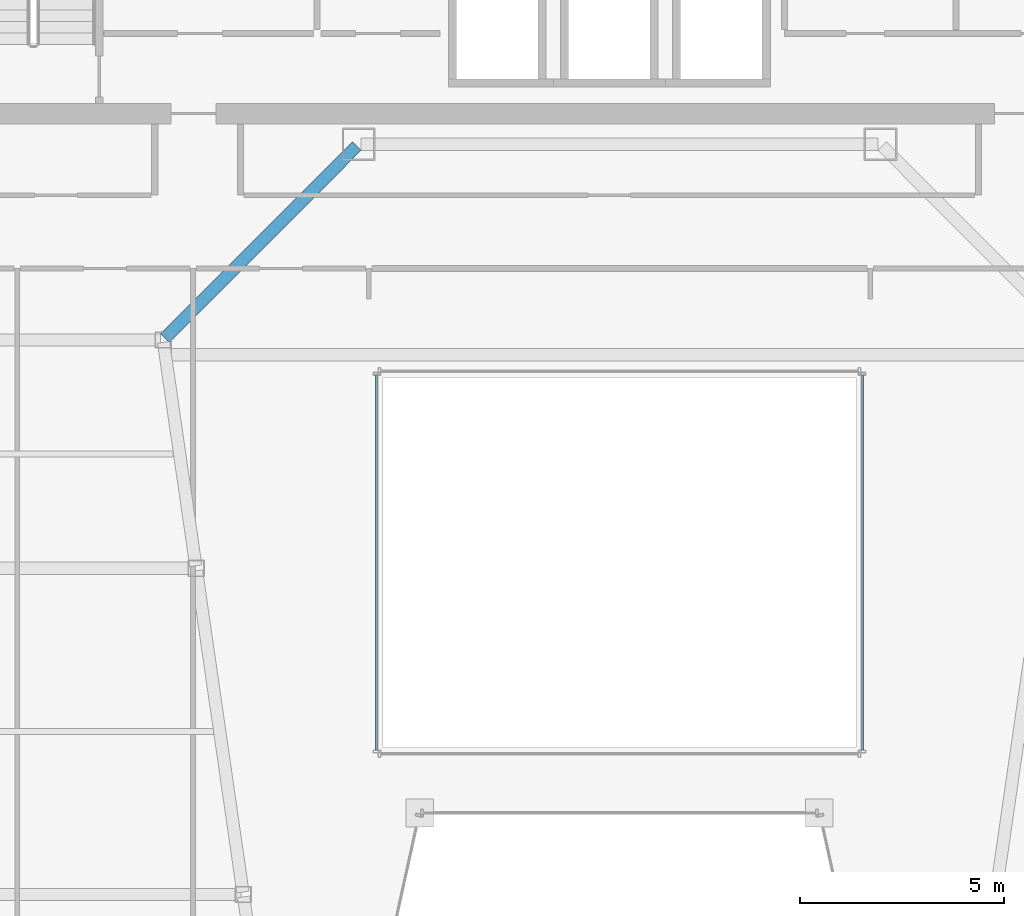
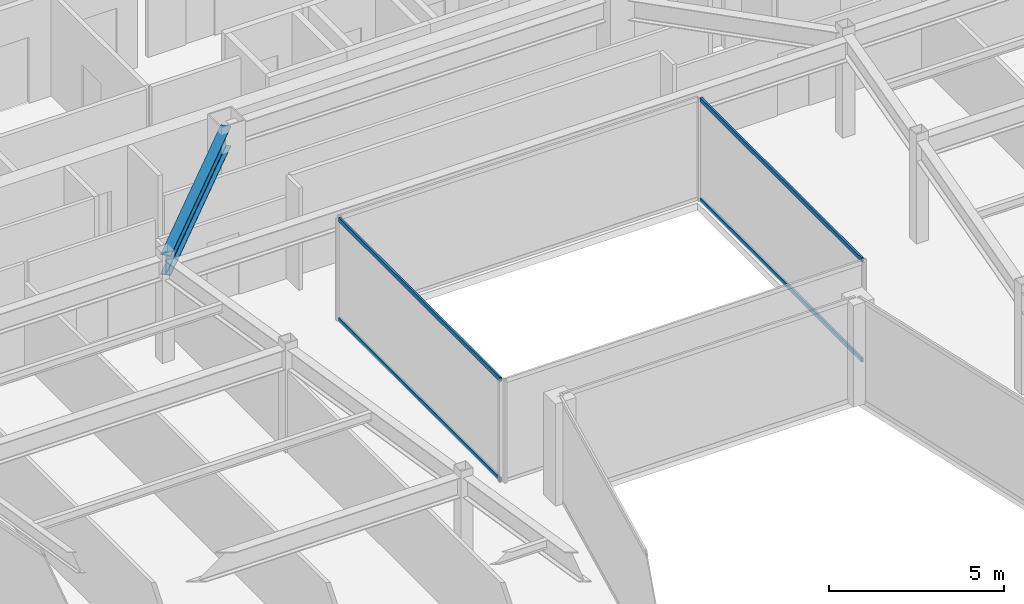
# One storey, part 12 of 35: 4 members, 1 beam, 2 elements without a shape of their own.
"""IFC4 building model written with IfcOpenShell, lengths in metres."""

from ifc_helpers import new_model, si_unit, direction, frame, origin, origin_2d, place, context, subcontext, project, spatial, hollow_rectangle, i_section, extrude, material, material_profile, profile_set, type_object, element, aggregate, save


model = new_model("IFC4")

# Units and contexts
model_context = context("Model", 3, precision=1e-05, world=origin(), true_north=direction((0.0, 1.0)))
body_context = subcontext(model_context, "Body", "Model", "MODEL_VIEW")
ifc_project = project(units=[si_unit("LENGTHUNIT", "METRE"), si_unit("AREAUNIT", "SQUARE_METRE"), si_unit("VOLUMEUNIT", "CUBIC_METRE"), si_unit("PLANEANGLEUNIT", "RADIAN"), si_unit("MASSUNIT", "GRAM", prefix="KILO")], contexts=[model_context])

# Site, building, storey
site_placement = place(None, origin())
site = spatial("IfcSite", under=ifc_project, at=site_placement, CompositionType="ELEMENT")
building_placement = place(site_placement, origin())
building = spatial("IfcBuilding", under=site, at=building_placement, Name="Saevonmaru Cultural Tower", CompositionType="ELEMENT")
storey_placement = place(building_placement, frame((0.0, 0.0, 190.39990234375)))
storey = spatial("IfcBuildingStorey", under=building, at=storey_placement, Name="L43", CompositionType="ELEMENT", Elevation=190.39990234375)

# Beam
ifc_material_1 = material(Name="Steel SM355", Category="steel")
ifc_material_profile_1 = material_profile(ifc_material_1, i_section(OverallWidth=0.300048828125, OverallDepth=0.699951171875, WebThickness=0.012939453125, FlangeThickness=0.02392578125, FilletRadius=0.02587890625, at=origin_2d()), Name="H-700x300x13x24")
ifc_profile_set_1 = profile_set([ifc_material_profile_1], Name="Steel SM355")
beam_type = type_object("IfcBeamType", Name="BM-G-H700", PredefinedType="BEAM", material=ifc_profile_set_1)
beam_placement = place(storey_placement, frame((18.850341796875, 37.642578125, 3.2001953125), z_axis=(0.706538566564, 0.707674539572, 0.0), x_axis=(-0.707674539572, 0.706538566564, 0.0)))
element("IfcBeam", 1, at=beam_placement, inside=storey, type_object=beam_type, Name="L43 West Atrium Girder 4", PredefinedType="BEAM", context=body_context, shape_type="SweptSolid", body=[
    extrude(i_section(OverallWidth=0.300048828125, OverallDepth=0.699951171875, WebThickness=0.012939453125, FlangeThickness=0.02392578125, FilletRadius=0.02587890625, at=origin_2d()), origin(), (0.0, 0.0, 1.0), 6.662353515625),
])

# Curtain wall, members
ifc_material_2 = material(Name="Satin Bronze Anodised Aluminium", Category="aluminium")
curtain_wall_type = type_object("IfcCurtainWallType", Name="CW-ATR-GLZ", PredefinedType="NOTDEFINED", material=ifc_material_2)
curtain_wall_1_placement = place(storey_placement, origin())
curtain_wall_1 = element("IfcCurtainWall", 2, at=curtain_wall_1_placement, inside=storey, type_object=curtain_wall_type, Name="L43 Vertical Atrium Glazed Smoke Screen 2", PredefinedType="NOTDEFINED")
ifc_material_profile_2 = material_profile(ifc_material_2, hollow_rectangle(XDim=0.06494140625, YDim=0.14990234375, WallThickness=0.00390625, at=origin_2d()), Name="ALU-TRAN-150x65x4")
ifc_profile_set_2 = profile_set([ifc_material_profile_2], Name="Satin Bronze Anodised Aluminium")
member_type = type_object("IfcMemberType", Name="TR-CW-INT-150x65", PredefinedType="USERDEFINED", material=ifc_profile_set_2)
member_1_placement = place(storey_placement, frame((35.949951171875, 27.54248046875, 0.03271484375), z_axis=(0.0, 1.0, 0.0), x_axis=(-1.0, 0.0, 0.0)))
member_1 = element("IfcMember", 3, at=member_1_placement, type_object=member_type, Name="CW-ATR-L43-2 transom 1.1", ObjectType="TRANSOM", PredefinedType="USERDEFINED", context=body_context, shape_type="SweptSolid", body=[
    extrude(hollow_rectangle(XDim=0.06494140625, YDim=0.14990234375, WallThickness=0.00390625, at=origin_2d()), origin(), (0.0, 0.0, 1.0), 9.195068359375),
])
member_2_placement = place(storey_placement, frame((35.949951171875, 27.54248046875, 3.517578125), z_axis=(0.0, 1.0, 0.0), x_axis=(-1.0, 0.0, 0.0)))
member_2 = element("IfcMember", 4, at=member_2_placement, type_object=member_type, Name="CW-ATR-L43-2 transom 1.2", ObjectType="TRANSOM", PredefinedType="USERDEFINED", context=body_context, shape_type="SweptSolid", body=[
    extrude(hollow_rectangle(XDim=0.06494140625, YDim=0.14990234375, WallThickness=0.00390625, at=origin_2d()), origin(), (0.0, 0.0, 1.0), 9.195068359375),
])
aggregate(curtain_wall_1, [member_1, member_2])

curtain_wall_2_placement = place(storey_placement, origin())
curtain_wall_2 = element("IfcCurtainWall", 5, at=curtain_wall_2_placement, inside=storey, type_object=curtain_wall_type, Name="L43 Vertical Atrium Glazed Smoke Screen 4", PredefinedType="NOTDEFINED")
member_3_placement = place(storey_placement, frame((24.050048828125, 36.737548828125, 0.03271484375), z_axis=(0.0, -1.0, 0.0), x_axis=(1.0, 0.0, 0.0)))
member_3 = element("IfcMember", 6, at=member_3_placement, type_object=member_type, Name="CW-ATR-L43-4 transom 1.1", ObjectType="TRANSOM", PredefinedType="USERDEFINED", context=body_context, shape_type="SweptSolid", body=[
    extrude(hollow_rectangle(XDim=0.06494140625, YDim=0.14990234375, WallThickness=0.00390625, at=origin_2d()), origin(), (0.0, 0.0, 1.0), 9.195068359375),
])
member_4_placement = place(storey_placement, frame((24.050048828125, 36.737548828125, 3.517578125), z_axis=(0.0, -1.0, 0.0), x_axis=(1.0, 0.0, 0.0)))
member_4 = element("IfcMember", 7, at=member_4_placement, type_object=member_type, Name="CW-ATR-L43-4 transom 1.2", ObjectType="TRANSOM", PredefinedType="USERDEFINED", context=body_context, shape_type="SweptSolid", body=[
    extrude(hollow_rectangle(XDim=0.06494140625, YDim=0.14990234375, WallThickness=0.00390625, at=origin_2d()), origin(), (0.0, 0.0, 1.0), 9.195068359375),
])
aggregate(curtain_wall_2, [member_3, member_4])

save(model, "model.ifc")
